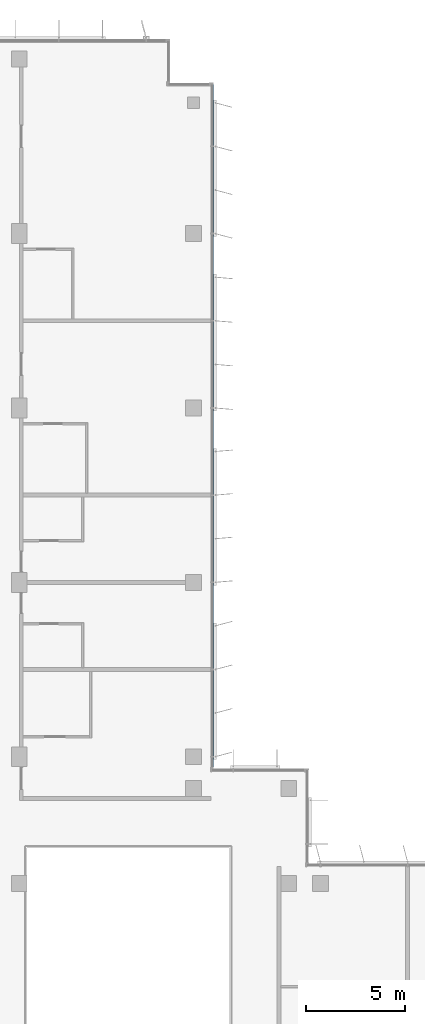
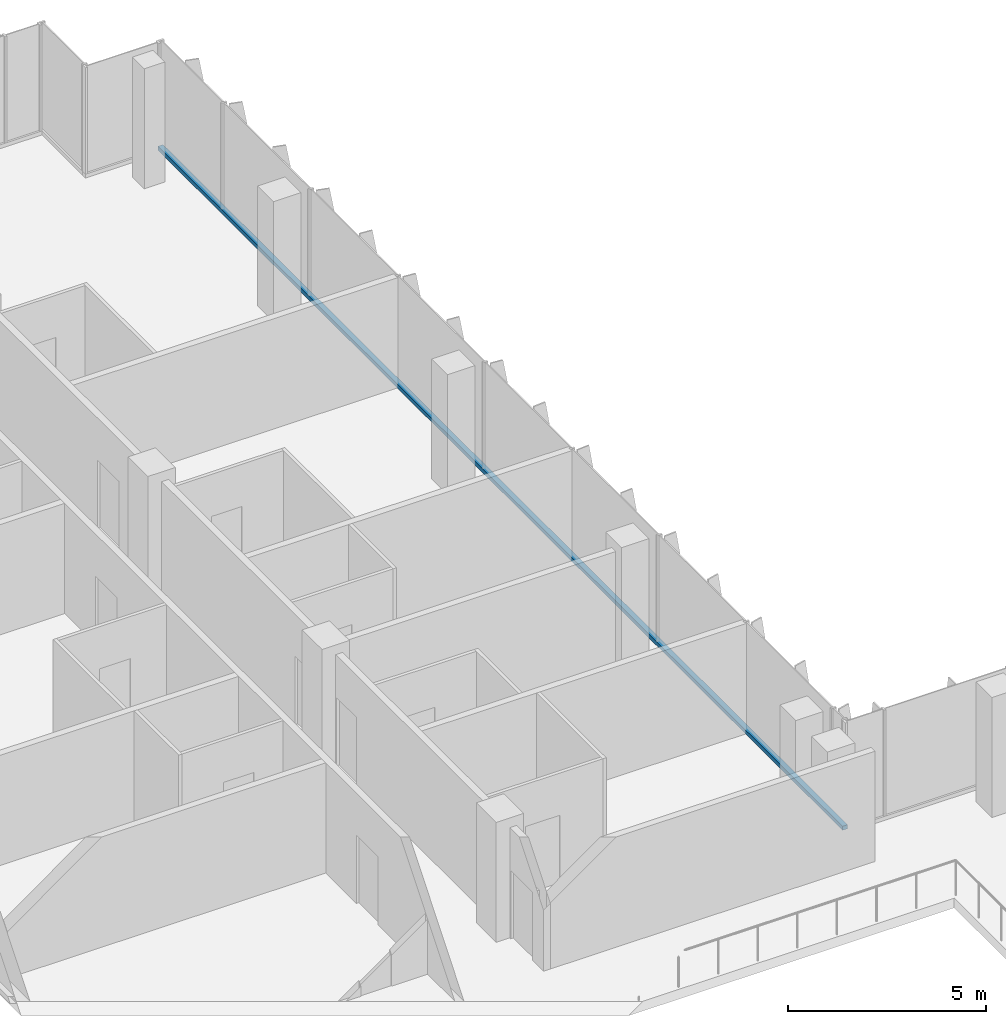
# One storey, part 5 of 16: 1 member, 1 element without a shape of its own.
"""IFC4 building model written with IfcOpenShell, lengths in metres."""

from ifc_helpers import new_model, si_unit, direction, frame, origin, origin_2d, place, context, subcontext, project, spatial, rectangle, extrude, material, material_profile, profile_set, type_object, element, aggregate, save


model = new_model("IFC4")

# Units and contexts
model_context = context("Model", 3, precision=1e-05, world=origin(), true_north=direction((0.0, 1.0)))
body_context = subcontext(model_context, "Body", "Model", "MODEL_VIEW")
ifc_project = project(units=[si_unit("LENGTHUNIT", "METRE"), si_unit("AREAUNIT", "SQUARE_METRE"), si_unit("VOLUMEUNIT", "CUBIC_METRE"), si_unit("PLANEANGLEUNIT", "RADIAN"), si_unit("MASSUNIT", "GRAM", prefix="KILO")], contexts=[model_context])

# Site, building, storey
site_placement = place(None, origin())
site = spatial("IfcSite", under=ifc_project, at=site_placement, CompositionType="ELEMENT")
building_placement = place(site_placement, origin())
building = spatial("IfcBuilding", under=site, at=building_placement, Name="Kemantara Hotel Tower", CompositionType="ELEMENT")
storey_placement = place(building_placement, frame((0.0, 0.0, 272.199951171875)))
storey = spatial("IfcBuildingStorey", under=building, at=storey_placement, Name="L68", CompositionType="ELEMENT", Elevation=272.199951171875)

# Curtain wall, member
ifc_material_1 = material(Name="Low-E tinted double insulated glass 36 mm", Category="glass")
curtain_wall_type = type_object("IfcCurtainWallType", Name="TOWER CURTAIN WALL, FRONT FACES", PredefinedType="USERDEFINED", material=ifc_material_1)
curtain_wall_placement = place(storey_placement, origin())
curtain_wall = element("IfcCurtainWall", 1, at=curtain_wall_placement, inside=storey, type_object=curtain_wall_type, Name="CW4 L68 T4-R15-1", ObjectType="TOWER CURTAIN WALL, FRONT FACES", PredefinedType="USERDEFINED")
ifc_material_2 = material(Name="Aluminium 6063-T6 bronze anodised", Category="aluminium")
ifc_material_profile = material_profile(ifc_material_2, rectangle(XDim=0.14990234375, YDim=0.1201171875, at=origin_2d()), Name="TOWER CURTAIN WALL, FRONT FACES TRANSOM")
ifc_profile_set = profile_set([ifc_material_profile], Name="Aluminium 6063-T6 bronze anodised")
member_type = type_object("IfcMemberType", Name="TOWER CURTAIN WALL, FRONT FACES TRANSOM", PredefinedType="USERDEFINED", material=ifc_profile_set)
member_placement = place(storey_placement, frame((21.925048828125, 26.800048828125, 0.06005859375), z_axis=(0.0, 1.0, 0.0), x_axis=(-1.0, 0.0, 0.0)))
member = element("IfcMember", 2, at=member_placement, type_object=member_type, Name="CW4 sill transom T4-R15-1", ObjectType="TRANSOM", PredefinedType="USERDEFINED", context=body_context, shape_type="SweptSolid", body=[
    extrude(rectangle(XDim=0.14990234375, YDim=0.1201171875, at=origin_2d()), origin(), (0.0, 0.0, 1.0), 34.599853515625),
])
aggregate(curtain_wall, [member])

save(model, "model.ifc")
